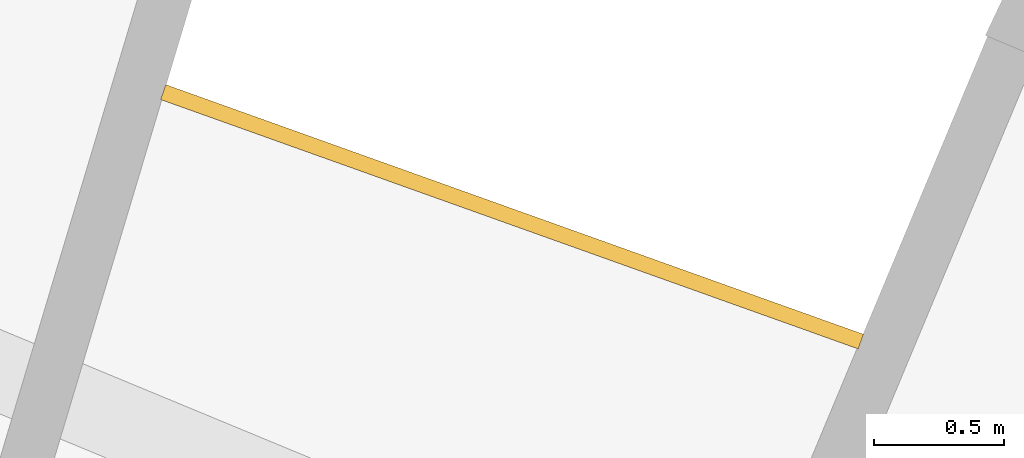
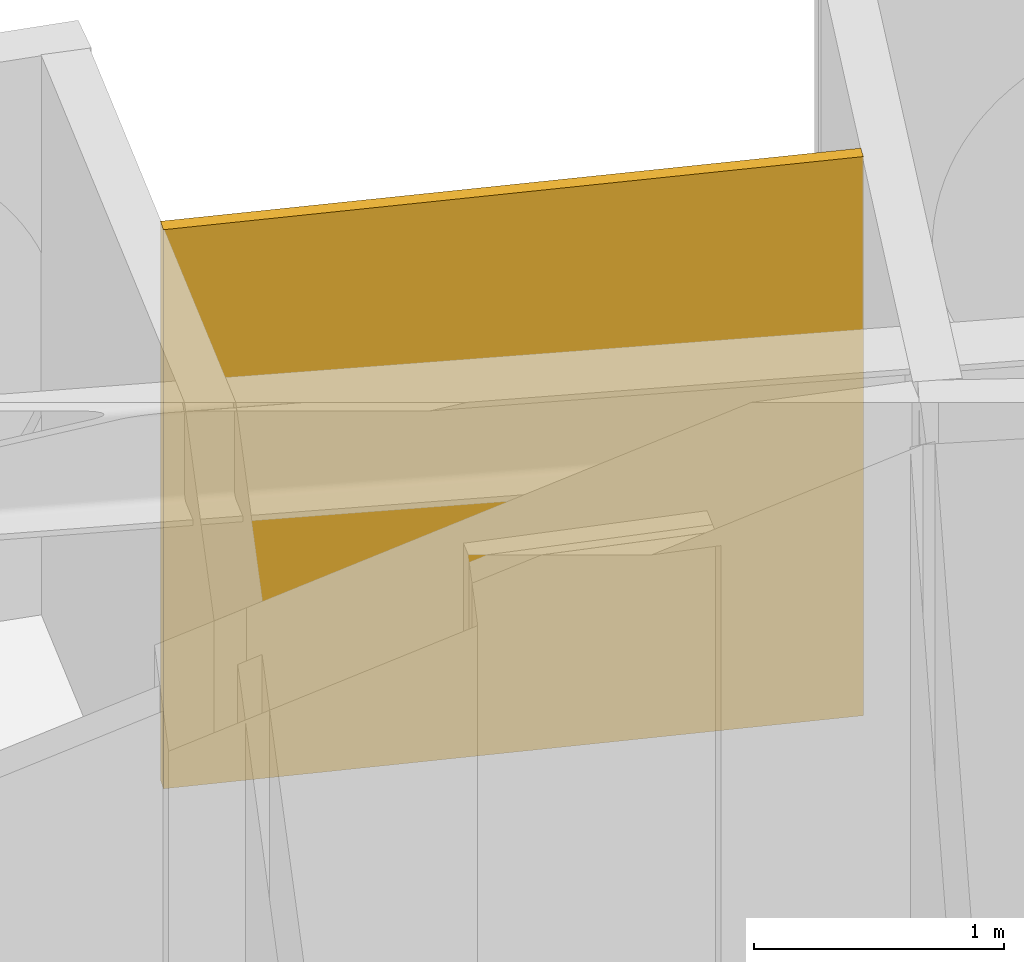
# One storey, part 26 of 26: 1 railing.
"""IFC4 building model written with IfcOpenShell, lengths in metres."""

from ifc_helpers import new_model, si_unit, direction, frame, origin, place, context, subcontext, project, spatial, polyline, outline, extrude, material, layer, layer_set, type_object, element, save


model = new_model("IFC4")

# Units and contexts
model_context = context("Model", 3, precision=1e-05, world=origin(), true_north=direction((0.0, 1.0)))
body_context = subcontext(model_context, "Body", "Model", "MODEL_VIEW")
ifc_project = project(units=[si_unit("LENGTHUNIT", "METRE"), si_unit("AREAUNIT", "SQUARE_METRE"), si_unit("VOLUMEUNIT", "CUBIC_METRE"), si_unit("PLANEANGLEUNIT", "RADIAN"), si_unit("MASSUNIT", "GRAM", prefix="KILO")], contexts=[model_context])

# Site, building, storey
site_placement = place(None, origin())
site = spatial("IfcSite", under=ifc_project, at=site_placement, CompositionType="ELEMENT")
building_placement = place(site_placement, origin())
building = spatial("IfcBuilding", under=site, at=building_placement, Name="Maasbend Ring Residences", CompositionType="ELEMENT")
storey_placement = place(building_placement, frame((0.0, 0.0, 69.699951171875)))
storey = spatial("IfcBuildingStorey", under=building, at=storey_placement, Name="L19", CompositionType="ELEMENT", Elevation=69.699951171875)

# Railing
ifc_material = material(Name="Pale anodised perforated aluminium", Category="aluminium")
ifc_layer = layer(ifc_material, 0.06005859375)
ifc_layer_set = layer_set([ifc_layer], Name="SCREEN-P")
railing_type = type_object("IfcRailingType", Name="SCREEN-P", PredefinedType="GUARDRAIL", material=ifc_layer_set)
railing_placement = place(storey_placement, frame((0.0, 0.0, -0.030029296875)))
element("IfcRailing", 1, at=railing_placement, inside=storey, type_object=railing_type, Name="Perforated screen guard 4", PredefinedType="GUARDRAIL", context=body_context, shape_type="SweptSolid", body=[
    extrude(outline(polyline([(11.097900390625, 26.79296875), (8.41796875, 27.7509765625), (8.43798828125, 27.80810546875), (11.117919921875, 26.84912109375), (11.097900390625, 26.79296875)])), origin(), (0.0, 0.0, 1.0), 2.72998046875),
])

save(model, "model.ifc")
